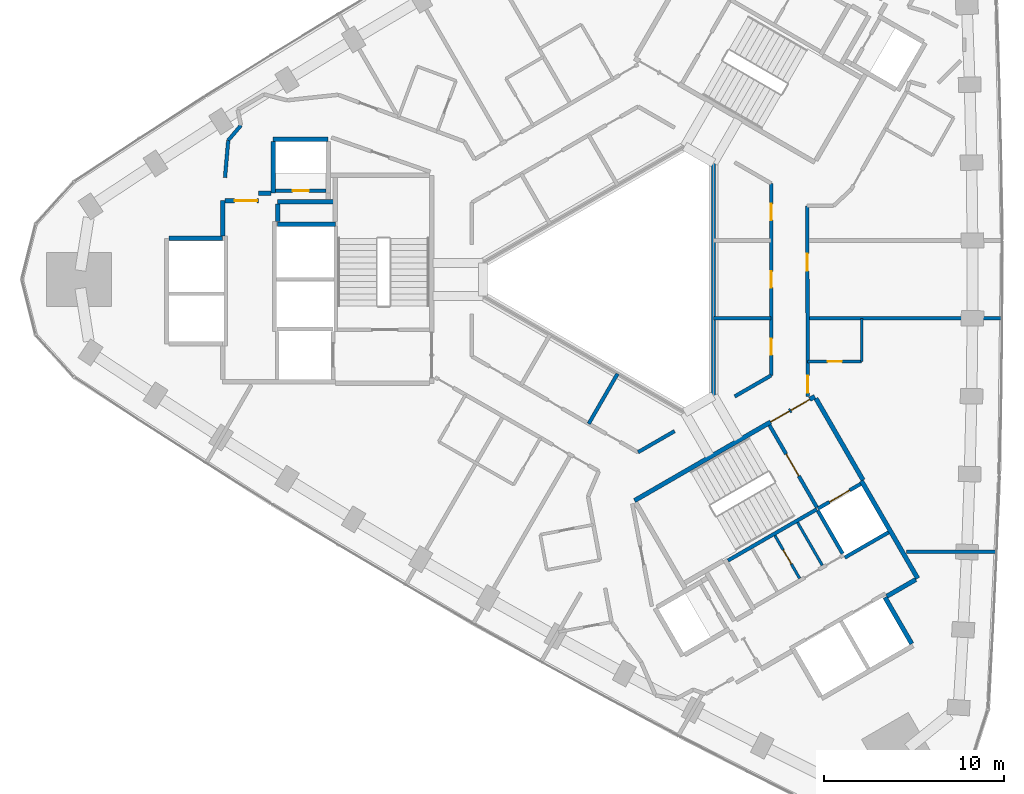
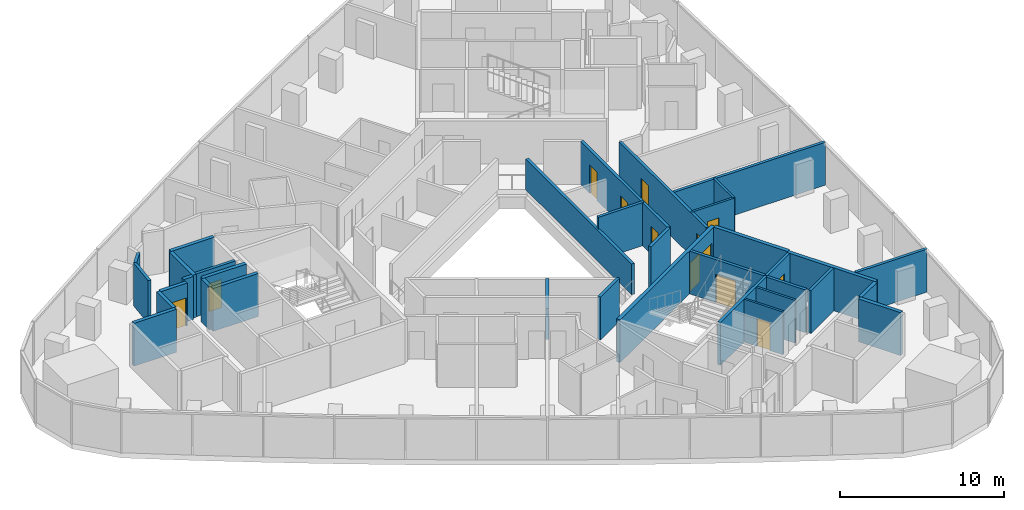
# One storey, part 9 of 13: 35 walls, 13 doors, 13 openings.
"""IFC4 building model written with IfcOpenShell, lengths in metres."""

from ifc_helpers import new_model, si_unit, direction, frame, frame_2d, origin, place, context, subcontext, project, spatial, rectangle, extrude, material, layer, layer_set, type_object, element, fill, save


model = new_model("IFC4")

# Units and contexts
model_context = context("Model", 3, precision=1e-05, world=origin(), true_north=direction((0.0, 1.0)))
body_context = subcontext(model_context, "Body", "Model", "MODEL_VIEW")
ifc_project = project(units=[si_unit("LENGTHUNIT", "METRE"), si_unit("AREAUNIT", "SQUARE_METRE"), si_unit("VOLUMEUNIT", "CUBIC_METRE"), si_unit("PLANEANGLEUNIT", "RADIAN"), si_unit("MASSUNIT", "GRAM", prefix="KILO")], contexts=[model_context])

# Site, building, storey
site_placement = place(None, origin())
site = spatial("IfcSite", under=ifc_project, at=site_placement, CompositionType="ELEMENT")
building_placement = place(site_placement, origin())
building = spatial("IfcBuilding", under=site, at=building_placement, Name="Tamra Quay Hotel Tower", CompositionType="ELEMENT")
storey_placement = place(building_placement, frame((0.0, 0.0, 161.199951171875)))
storey = spatial("IfcBuildingStorey", under=building, at=storey_placement, Name="L40", CompositionType="ELEMENT", Elevation=161.199951171875)

# Wall, opening, door
ifc_material_1 = material(Name="Concrete M70", Category="concrete")
ifc_layer_1 = layer(ifc_material_1, 0.199951171875)
ifc_layer_set_1 = layer_set([ifc_layer_1], Name="Concrete M70 core wall 200")
wall_type_1 = type_object("IfcWallType", Name="Concrete M70 core wall 200", PredefinedType="SHEAR", material=ifc_layer_set_1)
wall_1_placement = place(storey_placement, frame((-19.51123046875, 4.91015625, 0.0), z_axis=(0.0, 0.0, 1.0), x_axis=(1.0, 0.0, 0.0)))
wall_1 = element("IfcWall", 1, at=wall_1_placement, inside=storey, type_object=wall_type_1, Name="CW2", PredefinedType="SHEAR", context=body_context, shape_type="SweptSolid", body=[
    extrude(rectangle(XDim=2.7978515625, YDim=0.199951171875, at=frame_2d((1.39892578125, 0.0))), origin(), (0.0, 0.0, 1.0), 3.199951171875),
])
opening_1_placement = place(wall_1_placement, frame((0.948974609375, 0.0, 0.0)))
opening_1 = element("IfcOpeningElement", 2, at=opening_1_placement, cuts=wall_1, Name="Opening D1", PredefinedType="OPENING", context=body_context, shape_type="SweptSolid", body=[
    extrude(rectangle(XDim=0.89990234375, YDim=2.10009765625, at=frame_2d((0.449951171875, 1.050048828125))), frame((0.0, 0.10986328125, 0.0), z_axis=(0.0, -1.0, 0.0), x_axis=(1.0, 0.0, 0.0)), (0.0, 0.0, 1.0), 0.219970703125),
])
ifc_material_2 = material(Name="Core door D1 900x2100 RH")
door_type_1 = type_object("IfcDoorType", Name="Core door D1 900x2100 RH", OperationType="NOTDEFINED", PredefinedType="DOOR", material=ifc_material_2)
door_1_placement = place(opening_1_placement, origin())
door_1 = element("IfcDoor", 3, at=door_1_placement, inside=storey, type_object=door_type_1, Name="D1", OperationType="SINGLE_SWING_RIGHT", OverallHeight=2.10009765625, OverallWidth=0.89990234375, PredefinedType="DOOR", context=body_context, shape_type="SweptSolid", body=[
    extrude(rectangle(XDim=0.89990234375, YDim=2.10009765625, at=frame_2d((0.449951171875, 1.050048828125))), frame((0.0, 0.02490234375, 0.0), z_axis=(0.0, -1.0, 0.0), x_axis=(1.0, 0.0, 0.0)), (0.0, 0.0, 1.0), 0.050048828125),
])
fill(opening_1, door_1)

# Wall
wall_2_placement = place(storey_placement, frame((10.537841796875, -12.751953125, 0.0), z_axis=(0.0, 0.0, 1.0), x_axis=(-0.866038630372, -0.499977090179, 0.0)))
element("IfcWall", 4, at=wall_2_placement, inside=storey, type_object=wall_type_1, Name="CW2", PredefinedType="SHEAR", context=body_context, shape_type="SweptSolid", body=[
    extrude(rectangle(XDim=5.698974609375, YDim=0.199951171875, at=frame_2d((2.849609375, 0.0))), origin(), (0.0, 0.0, 1.0), 3.199951171875),
])

# Wall, opening, door
wall_3_placement = place(storey_placement, frame((7.906494140625, -8.094482421875, 0.0), z_axis=(0.0, 0.0, 1.0), x_axis=(0.500024287448, -0.866011380966, 0.0)))
wall_3 = element("IfcWall", 5, at=wall_3_placement, inside=storey, type_object=wall_type_1, Name="CW2", PredefinedType="SHEAR", context=body_context, shape_type="SweptSolid", body=[
    extrude(rectangle(XDim=5.251220703125, YDim=0.199951171875, at=frame_2d((2.62548828125, 0.0))), origin(), (0.0, 0.0, 1.0), 3.199951171875),
])
opening_2_placement = place(wall_3_placement, frame((1.84912109375, 0.0, 0.0)))
opening_2 = element("IfcOpeningElement", 6, at=opening_2_placement, cuts=wall_3, Name="Opening FD2", PredefinedType="OPENING", context=body_context, shape_type="SweptSolid", body=[
    extrude(rectangle(XDim=1.39990234375, YDim=2.10009765625, at=frame_2d((0.699951171875, 1.050048828125))), frame((0.0, 0.10986328125, 0.0), z_axis=(0.0, -1.0, 0.0), x_axis=(1.0, 0.0, 0.0)), (0.0, 0.0, 1.0), 0.219970703125),
])
ifc_material_3 = material(Name="Core door FD2 1400x2100 RH")
door_type_2 = type_object("IfcDoorType", Name="Core door FD2 1400x2100 RH", OperationType="NOTDEFINED", PredefinedType="DOOR", material=ifc_material_3)
door_2_placement = place(opening_2_placement, origin())
door_2 = element("IfcDoor", 7, at=door_2_placement, inside=storey, type_object=door_type_2, Name="FD2", OperationType="SINGLE_SWING_RIGHT", OverallHeight=2.10009765625, OverallWidth=1.39990234375, PredefinedType="DOOR", context=body_context, shape_type="SweptSolid", body=[
    extrude(rectangle(XDim=1.39990234375, YDim=2.10009765625, at=frame_2d((0.699951171875, 1.050048828125))), frame((0.0, 0.02490234375, 0.0), z_axis=(0.0, -1.0, 0.0), x_axis=(1.0, 0.0, 0.0)), (0.0, 0.0, 1.0), 0.050048828125),
])
fill(opening_2, door_2)

# Wall
wall_4_placement = place(storey_placement, frame((11.962646484375, -15.219970703125, 0.0), z_axis=(0.0, 0.0, 1.0), x_axis=(-0.500034990121, 0.866005201286, 0.0)))
element("IfcWall", 8, at=wall_4_placement, inside=storey, type_object=wall_type_1, Name="CW2", PredefinedType="SHEAR", context=body_context, shape_type="SweptSolid", body=[
    extrude(rectangle(XDim=2.749755859375, YDim=0.199951171875, at=frame_2d((1.375, 0.0))), origin(), (0.0, 0.0, 1.0), 3.199951171875),
])

# Wall, opening, door
wall_5_placement = place(storey_placement, frame((10.587158203125, -12.72314453125, 0.0), z_axis=(0.0, 0.0, 1.0), x_axis=(0.866037306777, 0.499979382845, 0.0)))
wall_5 = element("IfcWall", 9, at=wall_5_placement, inside=storey, type_object=wall_type_1, Name="CW2", PredefinedType="SHEAR", context=body_context, shape_type="SweptSolid", body=[
    extrude(rectangle(XDim=2.74169921875, YDim=0.199951171875, at=frame_2d((1.370849609375, 0.0))), origin(), (0.0, 0.0, 1.0), 3.199951171875),
])
opening_3_placement = place(wall_5_placement, frame((0.742919921875, 0.0, 0.0)))
opening_3 = element("IfcOpeningElement", 10, at=opening_3_placement, cuts=wall_5, Name="Opening LD", PredefinedType="OPENING", context=body_context, shape_type="SweptSolid", body=[
    extrude(rectangle(XDim=1.300048828125, YDim=2.10009765625, at=frame_2d((0.64990234375, 1.050048828125))), frame((0.0, 0.10986328125, 0.0), z_axis=(0.0, -1.0, 0.0), x_axis=(1.0, 0.0, 0.0)), (0.0, 0.0, 1.0), 0.219970703125),
])
ifc_material_4 = material(Name="Landing door LD 1300 sliding to right")
door_type_3 = type_object("IfcDoorType", Name="Landing door LD 1300 sliding to right", OperationType="NOTDEFINED", PredefinedType="DOOR", material=ifc_material_4)
door_3_placement = place(opening_3_placement, origin())
door_3 = element("IfcDoor", 11, at=door_3_placement, inside=storey, type_object=door_type_3, Name="LD", OperationType="SLIDING_TO_RIGHT", OverallHeight=2.10009765625, OverallWidth=1.300048828125, PredefinedType="DOOR", context=body_context, shape_type="SweptSolid", body=[
    extrude(rectangle(XDim=1.300048828125, YDim=2.10009765625, at=frame_2d((0.64990234375, 1.050048828125))), frame((0.0, 0.02490234375, 0.0), z_axis=(0.0, -1.0, 0.0), x_axis=(1.0, 0.0, 0.0)), (0.0, 0.0, 1.0), 0.050048828125),
])
fill(opening_3, door_3)

# Walls
wall_6_placement = place(storey_placement, frame((14.51171875, -14.037109375, 0.0), z_axis=(0.0, 0.0, 1.0), x_axis=(-0.866044696403, -0.499966582715, 0.0)))
element("IfcWall", 12, at=wall_6_placement, inside=storey, type_object=wall_type_1, Name="CW2", PredefinedType="SHEAR", context=body_context, shape_type="SweptSolid", body=[
    extrude(rectangle(XDim=2.799072265625, YDim=0.199951171875, at=frame_2d((1.3994140625, 0.0))), origin(), (0.0, 0.0, 1.0), 3.199951171875),
])
ifc_layer_2 = layer(ifc_material_1, 0.25)
ifc_layer_set_2 = layer_set([ifc_layer_2], Name="Concrete M70 core wall 250")
wall_type_2 = type_object("IfcWallType", Name="Concrete M70 core wall 250", PredefinedType="SHEAR", material=ifc_layer_set_2)
wall_7_placement = place(storey_placement, frame((-19.38720703125, 3.074951171875, 0.0), z_axis=(0.0, 0.0, 1.0), x_axis=(1.0, 0.0, 0.0)))
element("IfcWall", 13, at=wall_7_placement, inside=storey, type_object=wall_type_2, Name="CW1", PredefinedType="SHEAR", context=body_context, shape_type="SweptSolid", body=[
    extrude(rectangle(XDim=3.199951171875, YDim=0.25, at=frame_2d((1.60009765625, 0.0))), origin(), (0.0, 0.0, 1.0), 3.199951171875),
])
wall_8_placement = place(storey_placement, frame((-25.411865234375, 2.27490234375, 0.0), z_axis=(0.0, 0.0, 1.0), x_axis=(1.0, 0.0, 0.0)))
element("IfcWall", 14, at=wall_8_placement, inside=storey, type_object=wall_type_2, Name="CW1", PredefinedType="SHEAR", context=body_context, shape_type="SweptSolid", body=[
    extrude(rectangle(XDim=2.974609375, YDim=0.25, at=frame_2d((1.4873046875, 0.0))), origin(), (0.0, 0.0, 1.0), 3.199951171875),
])
wall_9_placement = place(storey_placement, frame((-19.63720703125, 7.77490234375, 0.0), z_axis=(0.0, 0.0, 1.0), x_axis=(1.0, 0.0, 0.0)))
element("IfcWall", 15, at=wall_9_placement, inside=storey, type_object=wall_type_2, Name="CW1", PredefinedType="SHEAR", context=body_context, shape_type="SweptSolid", body=[
    extrude(rectangle(XDim=3.0498046875, YDim=0.25, at=frame_2d((1.52490234375, 0.0))), origin(), (0.0, 0.0, 1.0), 3.199951171875),
])
wall_10_placement = place(storey_placement, frame((-19.63720703125, 4.784912109375, 0.0), z_axis=(0.0, 0.0, 1.0), x_axis=(0.0, 1.0, 0.0)))
element("IfcWall", 16, at=wall_10_placement, inside=storey, type_object=wall_type_2, Name="CW1", PredefinedType="SHEAR", context=body_context, shape_type="SweptSolid", body=[
    extrude(rectangle(XDim=2.86474609375, YDim=0.25, at=frame_2d((1.432373046875, 0.0))), origin(), (0.0, 0.0, 1.0), 3.199951171875),
])
wall_11_placement = place(storey_placement, frame((-16.30224609375, 4.31494140625, 0.0), z_axis=(0.0, 0.0, 1.0), x_axis=(-1.0, 0.0, 0.0)))
element("IfcWall", 17, at=wall_11_placement, inside=storey, type_object=wall_type_2, Name="CW1", PredefinedType="SHEAR", context=body_context, shape_type="SweptSolid", body=[
    extrude(rectangle(XDim=3.0849609375, YDim=0.25, at=frame_2d((1.54248046875, 0.0))), origin(), (0.0, 0.0, 1.0), 3.199951171875),
])
wall_12_placement = place(storey_placement, frame((-22.437255859375, 2.400390625, 0.0), z_axis=(0.0, 0.0, 1.0), x_axis=(0.0, 1.0, 0.0)))
element("IfcWall", 18, at=wall_12_placement, inside=storey, type_object=wall_type_2, Name="CW1", PredefinedType="SHEAR", context=body_context, shape_type="SweptSolid", body=[
    extrude(rectangle(XDim=1.974609375, YDim=0.25, at=frame_2d((0.9873046875, 0.0))), origin(), (0.0, 0.0, 1.0), 3.199951171875),
])

# Wall, opening, door
wall_13_placement = place(storey_placement, frame((-22.311767578125, 4.375, 0.0), z_axis=(0.0, 0.0, 1.0), x_axis=(1.0, 0.0, 0.0)))
wall_13 = element("IfcWall", 19, at=wall_13_placement, inside=storey, type_object=wall_type_2, Name="CW1", PredefinedType="SHEAR", context=body_context, shape_type="SweptSolid", body=[
    extrude(rectangle(XDim=1.864501953125, YDim=0.25, at=frame_2d((0.93212890625, 0.0))), origin(), (0.0, 0.0, 1.0), 3.199951171875),
])
opening_4_placement = place(wall_13_placement, frame((0.53466796875, 0.0, 0.0)))
opening_4 = element("IfcOpeningElement", 20, at=opening_4_placement, cuts=wall_13, Name="Opening FD3", PredefinedType="OPENING", context=body_context, shape_type="SweptSolid", body=[
    extrude(rectangle(XDim=1.25, YDim=2.10009765625, at=frame_2d((0.625, 1.050048828125))), frame((0.0, 0.135009765625, 0.0), z_axis=(0.0, -1.0, 0.0), x_axis=(1.0, 0.0, 0.0)), (0.0, 0.0, 1.0), 0.27001953125),
])
ifc_material_5 = material(Name="Core door FD3 1250x2100 LH")
door_type_4 = type_object("IfcDoorType", Name="Core door FD3 1250x2100 LH", OperationType="NOTDEFINED", PredefinedType="DOOR", material=ifc_material_5)
door_4_placement = place(opening_4_placement, origin())
door_4 = element("IfcDoor", 21, at=door_4_placement, inside=storey, type_object=door_type_4, Name="FD3", OperationType="SINGLE_SWING_LEFT", OverallHeight=2.10009765625, OverallWidth=1.25, PredefinedType="DOOR", context=body_context, shape_type="SweptSolid", body=[
    extrude(rectangle(XDim=1.25, YDim=2.10009765625, at=frame_2d((0.625, 1.050048828125))), frame((0.0, 0.02490234375, 0.0), z_axis=(0.0, -1.0, 0.0), x_axis=(1.0, 0.0, 0.0)), (0.0, 0.0, 1.0), 0.050048828125),
])
fill(opening_4, door_4)

# Walls
wall_14_placement = place(storey_placement, frame((-19.38720703125, 4.189697265625, 0.0), z_axis=(0.0, 0.0, 1.0), x_axis=(0.0, -1.0, 0.0)))
element("IfcWall", 22, at=wall_14_placement, inside=storey, type_object=wall_type_2, Name="CW1", PredefinedType="SHEAR", context=body_context, shape_type="SweptSolid", body=[
    extrude(rectangle(XDim=0.9892578125, YDim=0.25, at=frame_2d((0.49462890625, 0.0))), origin(), (0.0, 0.0, 1.0), 3.199951171875),
])
wall_15_placement = place(storey_placement, frame((-20.447265625, 4.784912109375, 0.0), z_axis=(0.0, 0.0, 1.0), x_axis=(1.0, 0.0, 0.0)))
element("IfcWall", 23, at=wall_15_placement, inside=storey, type_object=wall_type_2, Name="CW1", PredefinedType="SHEAR", context=body_context, shape_type="SweptSolid", body=[
    extrude(rectangle(XDim=0.6845703125, YDim=0.25, at=frame_2d((0.34228515625, 0.0))), origin(), (0.0, 0.0, 1.0), 3.199951171875),
])

# Wall, openings, doors
wall_16_placement = place(storey_placement, frame((0.417236328125, -12.27294921875, 0.0), z_axis=(0.0, 0.0, 1.0), x_axis=(0.866021906294, 0.500006057782, 0.0)))
wall_16 = element("IfcWall", 24, at=wall_16_placement, inside=storey, type_object=wall_type_2, Name="CW1", PredefinedType="SHEAR", context=body_context, shape_type="SweptSolid", body=[
    extrude(rectangle(XDim=11.550048828125, YDim=0.25, at=frame_2d((5.77490234375, 0.0))), origin(), (0.0, 0.0, 1.0), 3.199951171875),
])
opening_5_placement = place(wall_16_placement, frame((10.024658203125, 0.0, 0.0)))
opening_5 = element("IfcOpeningElement", 25, at=opening_5_placement, cuts=wall_16, Name="Opening FD1", PredefinedType="OPENING", context=body_context, shape_type="SweptSolid", body=[
    extrude(rectangle(XDim=1.199951171875, YDim=2.10009765625, at=frame_2d((0.60009765625, 1.050048828125))), frame((0.0, 0.135009765625, 0.0), z_axis=(0.0, -1.0, 0.0), x_axis=(1.0, 0.0, 0.0)), (0.0, 0.0, 1.0), 0.27001953125),
])
opening_6_placement = place(wall_16_placement, frame((8.724609375, 0.0, 0.0)))
opening_6 = element("IfcOpeningElement", 26, at=opening_6_placement, cuts=wall_16, Name="Opening FD1", PredefinedType="OPENING", context=body_context, shape_type="SweptSolid", body=[
    extrude(rectangle(XDim=1.199951171875, YDim=2.10009765625, at=frame_2d((0.60009765625, 1.050048828125))), frame((0.0, 0.135009765625, 0.0), z_axis=(0.0, -1.0, 0.0), x_axis=(1.0, 0.0, 0.0)), (0.0, 0.0, 1.0), 0.27001953125),
])
ifc_material_6 = material(Name="Core door FD1 1200x2100 LH")
door_type_5 = type_object("IfcDoorType", Name="Core door FD1 1200x2100 LH", OperationType="NOTDEFINED", PredefinedType="DOOR", material=ifc_material_6)
door_5_placement = place(opening_5_placement, origin())
door_5 = element("IfcDoor", 27, at=door_5_placement, inside=storey, type_object=door_type_5, Name="FD1", OperationType="SINGLE_SWING_LEFT", OverallHeight=2.10009765625, OverallWidth=1.199951171875, PredefinedType="DOOR", context=body_context, shape_type="SweptSolid", body=[
    extrude(rectangle(XDim=1.199951171875, YDim=2.10009765625, at=frame_2d((0.60009765625, 1.050048828125))), frame((0.0, 0.02490234375, 0.0), z_axis=(0.0, -1.0, 0.0), x_axis=(1.0, 0.0, 0.0)), (0.0, 0.0, 1.0), 0.050048828125),
])
fill(opening_5, door_5)
ifc_material_7 = material(Name="Core door FD1 1200x2100 RH")
door_type_6 = type_object("IfcDoorType", Name="Core door FD1 1200x2100 RH", OperationType="NOTDEFINED", PredefinedType="DOOR", material=ifc_material_7)
door_6_placement = place(opening_6_placement, origin())
door_6 = element("IfcDoor", 28, at=door_6_placement, inside=storey, type_object=door_type_6, Name="FD1", OperationType="SINGLE_SWING_RIGHT", OverallHeight=2.10009765625, OverallWidth=1.199951171875, PredefinedType="DOOR", context=body_context, shape_type="SweptSolid", body=[
    extrude(rectangle(XDim=1.199951171875, YDim=2.10009765625, at=frame_2d((0.60009765625, 1.050048828125))), frame((0.0, 0.02490234375, 0.0), z_axis=(0.0, -1.0, 0.0), x_axis=(1.0, 0.0, 0.0)), (0.0, 0.0, 1.0), 0.050048828125),
])
fill(opening_6, door_6)

# Walls
wall_17_placement = place(storey_placement, frame((13.00830078125, -11.18115234375, 0.0), z_axis=(0.0, 0.0, 1.0), x_axis=(0.500004234368, -0.866022959057, 0.0)))
element("IfcWall", 29, at=wall_17_placement, inside=storey, type_object=wall_type_2, Name="CW1", PredefinedType="SHEAR", context=body_context, shape_type="SweptSolid", body=[
    extrude(rectangle(XDim=6.25, YDim=0.25, at=frame_2d((3.125, 0.0))), origin(), (0.0, 0.0, 1.0), 3.199951171875),
])
wall_18_placement = place(storey_placement, frame((10.482666015625, -6.6064453125, 0.0), z_axis=(0.0, 0.0, 1.0), x_axis=(0.49999885962, -0.866026062182, 0.0)))
element("IfcWall", 30, at=wall_18_placement, inside=storey, type_object=wall_type_2, Name="CW1", PredefinedType="SHEAR", context=body_context, shape_type="SweptSolid", body=[
    extrude(rectangle(XDim=5.224609375, YDim=0.25, at=frame_2d((2.6123046875, 0.0))), origin(), (0.0, 0.0, 1.0), 3.199951171875),
])
wall_19_placement = place(storey_placement, frame((14.314697265625, -17.643798828125, 0.0), z_axis=(0.0, 0.0, 1.0), x_axis=(0.500023226632, -0.866011993467, 0.0)))
element("IfcWall", 31, at=wall_19_placement, inside=storey, type_object=wall_type_2, Name="CW1", PredefinedType="SHEAR", context=body_context, shape_type="SweptSolid", body=[
    extrude(rectangle(XDim=2.974365234375, YDim=0.25, at=frame_2d((1.4873046875, 0.0))), origin(), (0.0, 0.0, 1.0), 3.199951171875),
])
wall_20_placement = place(storey_placement, frame((16.024658203125, -16.656494140625, 0.0), z_axis=(0.0, 0.0, 1.0), x_axis=(-0.866016279763, -0.500015802937, 0.0)))
element("IfcWall", 32, at=wall_20_placement, inside=storey, type_object=wall_type_2, Name="CW1", PredefinedType="SHEAR", context=body_context, shape_type="SweptSolid", body=[
    extrude(rectangle(XDim=1.84912109375, YDim=0.25, at=frame_2d((0.924560546875, 0.0))), origin(), (0.0, 0.0, 1.0), 3.199951171875),
])

# Wall, opening, door
ifc_material_8 = material(Name="Blockwork", Category="masonry")
ifc_layer_3 = layer(ifc_material_8, 0.14990234375)
ifc_layer_set_3 = layer_set([ifc_layer_3], Name="Core partition block 150")
wall_type_3 = type_object("IfcWallType", Name="Core partition block 150", PredefinedType="PARTITIONING", material=ifc_layer_set_3)
wall_21_placement = place(storey_placement, frame((8.20654296875, -14.214111328125, 0.0), z_axis=(0.0, 0.0, 1.0), x_axis=(0.50002746344, -0.86600954718, 0.0)))
wall_21 = element("IfcWall", 33, at=wall_21_placement, inside=storey, type_object=wall_type_3, Name="CP1", PredefinedType="PARTITIONING", context=body_context, shape_type="SweptSolid", body=[
    extrude(rectangle(XDim=2.748291015625, YDim=0.14990234375, at=frame_2d((1.3740234375, 0.0))), origin(), (0.0, 0.0, 1.0), 3.199951171875),
])
opening_7_placement = place(wall_21_placement, frame((0.92431640625, 0.0, 0.0)))
opening_7 = element("IfcOpeningElement", 34, at=opening_7_placement, cuts=wall_21, Name="Opening D2", PredefinedType="OPENING", context=body_context, shape_type="SweptSolid", body=[
    extrude(rectangle(XDim=0.89990234375, YDim=2.10009765625, at=frame_2d((0.449951171875, 1.050048828125))), frame((0.0, 0.0849609375, 0.0), z_axis=(0.0, -1.0, 0.0), x_axis=(1.0, 0.0, 0.0)), (0.0, 0.0, 1.0), 0.169921875),
])
ifc_material_9 = material(Name="Core door D2 900x2100 RH")
door_type_7 = type_object("IfcDoorType", Name="Core door D2 900x2100 RH", OperationType="NOTDEFINED", PredefinedType="DOOR", material=ifc_material_9)
door_7_placement = place(opening_7_placement, origin())
door_7 = element("IfcDoor", 35, at=door_7_placement, inside=storey, type_object=door_type_7, Name="D2", OperationType="SINGLE_SWING_RIGHT", OverallHeight=2.10009765625, OverallWidth=0.89990234375, PredefinedType="DOOR", context=body_context, shape_type="SweptSolid", body=[
    extrude(rectangle(XDim=0.89990234375, YDim=2.10009765625, at=frame_2d((0.449951171875, 1.050048828125))), frame((0.0, 0.02490234375, 0.0), z_axis=(0.0, -1.0, 0.0), x_axis=(1.0, 0.0, 0.0)), (0.0, 0.0, 1.0), 0.050048828125),
])
fill(opening_7, door_7)

# Walls
wall_22_placement = place(storey_placement, frame((9.46240234375, -13.489013671875, 0.0), z_axis=(0.0, 0.0, 1.0), x_axis=(0.499988999718, -0.866031754707, 0.0)))
element("IfcWall", 36, at=wall_22_placement, inside=storey, type_object=wall_type_3, Name="CP1", PredefinedType="PARTITIONING", context=body_context, shape_type="SweptSolid", body=[
    extrude(rectangle(XDim=2.74853515625, YDim=0.14990234375, at=frame_2d((1.374267578125, 0.0))), origin(), (0.0, 0.0, 1.0), 3.199951171875),
])
ifc_material_10 = material(Name="Partition corridor wall")
ifc_layer_4 = layer(ifc_material_10, 0.199951171875)
ifc_layer_set_4 = layer_set([ifc_layer_4], Name="Partition corridor wall")
wall_type_4 = type_object("IfcWallType", Name="Partition corridor wall", PredefinedType="PARTITIONING", material=ifc_layer_set_4)
wall_23_placement = place(storey_placement, frame((-22.131103515625, 7.719970703125, 0.0), z_axis=(0.0, 0.0, 1.0), x_axis=(-0.086827346826, -0.996223374471, 0.0)))
element("IfcWall", 37, at=wall_23_placement, inside=storey, type_object=wall_type_4, Name="W-C", PredefinedType="PARTITIONING", context=body_context, shape_type="SweptSolid", body=[
    extrude(rectangle(XDim=2.077880859375, YDim=0.199951171875, at=frame_2d((1.0390625, 0.0))), origin(), (0.0, 0.0, 1.0), 3.199951171875),
])
wall_24_placement = place(storey_placement, frame((-22.131103515625, 7.719970703125, 0.0), z_axis=(0.0, 0.0, 1.0), x_axis=(0.647024749006, 0.762468998828, 0.0)))
element("IfcWall", 38, at=wall_24_placement, inside=storey, type_object=wall_type_4, Name="W-C", PredefinedType="PARTITIONING", context=body_context, shape_type="SweptSolid", body=[
    extrude(rectangle(XDim=1.09130859375, YDim=0.199951171875, at=frame_2d((0.545654296875, 0.0))), origin(), (0.0, 0.0, 1.0), 3.199951171875),
])
wall_25_placement = place(storey_placement, frame((0.611083984375, -9.58935546875, 0.0), z_axis=(0.0, 0.0, 1.0), x_axis=(0.866220316572, 0.499662249082, 0.0)))
element("IfcWall", 39, at=wall_25_placement, inside=storey, type_object=wall_type_4, Name="W-C", PredefinedType="PARTITIONING", context=body_context, shape_type="SweptSolid", body=[
    extrude(rectangle(XDim=2.34033203125, YDim=0.199951171875, at=frame_2d((1.170166015625, 0.0))), origin(), (0.0, 0.0, 1.0), 3.199951171875),
])
wall_26_placement = place(storey_placement, frame((5.972900390625, -6.49609375, 0.0), z_axis=(0.0, 0.0, 1.0), x_axis=(0.866175166619, 0.4997405134, 0.0)))
element("IfcWall", 40, at=wall_26_placement, inside=storey, type_object=wall_type_4, Name="W-C", PredefinedType="PARTITIONING", context=body_context, shape_type="SweptSolid", body=[
    extrude(rectangle(XDim=2.340576171875, YDim=0.199951171875, at=frame_2d((1.17041015625, 0.0))), origin(), (0.0, 0.0, 1.0), 3.199951171875),
])

# Wall, openings, doors
wall_27_placement = place(storey_placement, frame((8.0, -5.325927734375, 0.0), z_axis=(0.0, 0.0, 1.0), x_axis=(0.0, 1.0, 0.0)))
wall_27 = element("IfcWall", 41, at=wall_27_placement, inside=storey, type_object=wall_type_4, Name="W-C", PredefinedType="PARTITIONING", context=body_context, shape_type="SweptSolid", body=[
    extrude(rectangle(XDim=10.65185546875, YDim=0.199951171875, at=frame_2d((5.325927734375, 0.0))), origin(), (0.0, 0.0, 1.0), 3.199951171875),
])
opening_8_placement = place(wall_27_placement, frame((1.138427734375, 0.0, 0.0)))
opening_8 = element("IfcOpeningElement", 42, at=opening_8_placement, cuts=wall_27, Name="Opening L40-D024", PredefinedType="OPENING", context=body_context, shape_type="SweptSolid", body=[
    extrude(rectangle(XDim=0.89990234375, YDim=2.10009765625, at=frame_2d((0.449951171875, 1.050048828125))), frame((0.0, 0.10986328125, 0.0), z_axis=(0.0, -1.0, 0.0), x_axis=(1.0, 0.0, 0.0)), (0.0, 0.0, 1.0), 0.219970703125),
])
opening_9_placement = place(wall_27_placement, frame((4.8759765625, 0.0, 0.0)))
opening_9 = element("IfcOpeningElement", 43, at=opening_9_placement, cuts=wall_27, Name="Opening L40-D025", PredefinedType="OPENING", context=body_context, shape_type="SweptSolid", body=[
    extrude(rectangle(XDim=0.89990234375, YDim=2.10009765625, at=frame_2d((0.449951171875, 1.050048828125))), frame((0.0, 0.10986328125, 0.0), z_axis=(0.0, -1.0, 0.0), x_axis=(1.0, 0.0, 0.0)), (0.0, 0.0, 1.0), 0.219970703125),
])
opening_10_placement = place(wall_27_placement, frame((8.613525390625, 0.0, 0.0)))
opening_10 = element("IfcOpeningElement", 44, at=opening_10_placement, cuts=wall_27, Name="Opening L40-D026", PredefinedType="OPENING", context=body_context, shape_type="SweptSolid", body=[
    extrude(rectangle(XDim=0.89990234375, YDim=2.10009765625, at=frame_2d((0.449951171875, 1.050048828125))), frame((0.0, 0.10986328125, 0.0), z_axis=(0.0, -1.0, 0.0), x_axis=(1.0, 0.0, 0.0)), (0.0, 0.0, 1.0), 0.219970703125),
])
ifc_material_11 = material(Name="Door service room 900x2100")
door_type_8 = type_object("IfcDoorType", Name="Door service room 900x2100", OperationType="NOTDEFINED", PredefinedType="DOOR", material=ifc_material_11)
door_8_placement = place(opening_8_placement, origin())
door_8 = element("IfcDoor", 45, at=door_8_placement, inside=storey, type_object=door_type_8, Name="L40-D024", OperationType="SINGLE_SWING_LEFT", OverallHeight=2.10009765625, OverallWidth=0.89990234375, PredefinedType="DOOR", context=body_context, shape_type="SweptSolid", body=[
    extrude(rectangle(XDim=0.89990234375, YDim=2.10009765625, at=frame_2d((0.449951171875, 1.050048828125))), frame((0.0, 0.02490234375, 0.0), z_axis=(0.0, -1.0, 0.0), x_axis=(1.0, 0.0, 0.0)), (0.0, 0.0, 1.0), 0.050048828125),
])
fill(opening_8, door_8)
door_9_placement = place(opening_9_placement, origin())
door_9 = element("IfcDoor", 46, at=door_9_placement, inside=storey, type_object=door_type_8, Name="L40-D025", OperationType="SINGLE_SWING_LEFT", OverallHeight=2.10009765625, OverallWidth=0.89990234375, PredefinedType="DOOR", context=body_context, shape_type="SweptSolid", body=[
    extrude(rectangle(XDim=0.89990234375, YDim=2.10009765625, at=frame_2d((0.449951171875, 1.050048828125))), frame((0.0, 0.02490234375, 0.0), z_axis=(0.0, -1.0, 0.0), x_axis=(1.0, 0.0, 0.0)), (0.0, 0.0, 1.0), 0.050048828125),
])
fill(opening_9, door_9)
door_10_placement = place(opening_10_placement, origin())
door_10 = element("IfcDoor", 47, at=door_10_placement, inside=storey, type_object=door_type_8, Name="L40-D026", OperationType="SINGLE_SWING_LEFT", OverallHeight=2.10009765625, OverallWidth=0.89990234375, PredefinedType="DOOR", context=body_context, shape_type="SweptSolid", body=[
    extrude(rectangle(XDim=0.89990234375, YDim=2.10009765625, at=frame_2d((0.449951171875, 1.050048828125))), frame((0.0, 0.02490234375, 0.0), z_axis=(0.0, -1.0, 0.0), x_axis=(1.0, 0.0, 0.0)), (0.0, 0.0, 1.0), 0.050048828125),
])
fill(opening_10, door_10)

wall_28_placement = place(storey_placement, frame((9.99951171875, 4.077880859375, 0.0), z_axis=(0.0, 0.0, 1.0), x_axis=(0.003070798941, -0.999995285086, 0.0)))
wall_28 = element("IfcWall", 48, at=wall_28_placement, inside=storey, type_object=wall_type_4, Name="W-C", PredefinedType="PARTITIONING", context=body_context, shape_type="SweptSolid", body=[
    extrude(rectangle(XDim=10.573974609375, YDim=0.199951171875, at=frame_2d((5.287109375, 0.0))), origin(), (0.0, 0.0, 1.0), 3.199951171875),
])
opening_11_placement = place(wall_28_placement, frame((9.424072265625, 0.0, 0.0)))
opening_11 = element("IfcOpeningElement", 49, at=opening_11_placement, cuts=wall_28, Name="Opening L40-D001", PredefinedType="OPENING", context=body_context, shape_type="SweptSolid", body=[
    extrude(rectangle(XDim=0.949951171875, YDim=2.10009765625, at=frame_2d((0.47509765625, 1.050048828125))), frame((0.0, 0.10986328125, 0.0), z_axis=(0.0, -1.0, 0.0), x_axis=(1.0, 0.0, 0.0)), (0.0, 0.0, 1.0), 0.219970703125),
])
opening_12_placement = place(wall_28_placement, frame((2.65087890625, 0.0, 0.0)))
opening_12 = element("IfcOpeningElement", 50, at=opening_12_placement, cuts=wall_28, Name="Opening L40-D003", PredefinedType="OPENING", context=body_context, shape_type="SweptSolid", body=[
    extrude(rectangle(XDim=0.949951171875, YDim=2.10009765625, at=frame_2d((0.47509765625, 1.050048828125))), frame((0.0, 0.10986328125, 0.0), z_axis=(0.0, -1.0, 0.0), x_axis=(1.0, 0.0, 0.0)), (0.0, 0.0, 1.0), 0.219970703125),
])
ifc_material_12 = material(Name="Door guest room 950x2100")
door_type_9 = type_object("IfcDoorType", Name="Door guest room 950x2100", OperationType="NOTDEFINED", PredefinedType="DOOR", material=ifc_material_12)
door_11_placement = place(opening_11_placement, origin())
door_11 = element("IfcDoor", 51, at=door_11_placement, inside=storey, type_object=door_type_9, Name="L40-D001", OperationType="SINGLE_SWING_LEFT", OverallHeight=2.10009765625, OverallWidth=0.949951171875, PredefinedType="DOOR", context=body_context, shape_type="SweptSolid", body=[
    extrude(rectangle(XDim=0.949951171875, YDim=2.10009765625, at=frame_2d((0.47509765625, 1.050048828125))), frame((0.0, 0.02490234375, 0.0), z_axis=(0.0, -1.0, 0.0), x_axis=(1.0, 0.0, 0.0)), (0.0, 0.0, 1.0), 0.050048828125),
])
fill(opening_11, door_11)
door_12_placement = place(opening_12_placement, origin())
door_12 = element("IfcDoor", 52, at=door_12_placement, inside=storey, type_object=door_type_9, Name="L40-D003", OperationType="SINGLE_SWING_LEFT", OverallHeight=2.10009765625, OverallWidth=0.949951171875, PredefinedType="DOOR", context=body_context, shape_type="SweptSolid", body=[
    extrude(rectangle(XDim=0.949951171875, YDim=2.10009765625, at=frame_2d((0.47509765625, 1.050048828125))), frame((0.0, 0.02490234375, 0.0), z_axis=(0.0, -1.0, 0.0), x_axis=(1.0, 0.0, 0.0)), (0.0, 0.0, 1.0), 0.050048828125),
])
fill(opening_12, door_12)

# Wall, opening, door
ifc_material_13 = material(Name="Partition en-suite wall")
ifc_layer_5 = layer(ifc_material_13, 0.14990234375)
ifc_layer_set_5 = layer_set([ifc_layer_5], Name="Partition en-suite wall")
wall_type_5 = type_object("IfcWallType", Name="Partition en-suite wall", PredefinedType="PARTITIONING", material=ifc_layer_set_5)
wall_29_placement = place(storey_placement, frame((10.027099609375, -4.56103515625, 0.0), z_axis=(0.0, 0.0, 1.0), x_axis=(0.999995457159, 0.003014242926, 0.0)))
wall_29 = element("IfcWall", 53, at=wall_29_placement, inside=storey, type_object=wall_type_5, Name="W-E", PredefinedType="PARTITIONING", context=body_context, shape_type="SweptSolid", body=[
    extrude(rectangle(XDim=2.996826171875, YDim=0.14990234375, at=frame_2d((1.49853515625, 0.0))), origin(), (0.0, 0.0, 1.0), 3.199951171875),
])
opening_13_placement = place(wall_29_placement, frame((1.09912109375, 0.0, 0.0)))
opening_13 = element("IfcOpeningElement", 54, at=opening_13_placement, cuts=wall_29, Name="Opening L40-D002", PredefinedType="OPENING", context=body_context, shape_type="SweptSolid", body=[
    extrude(rectangle(XDim=0.800048828125, YDim=2.10009765625, at=frame_2d((0.39990234375, 1.050048828125))), frame((0.0, 0.0849609375, 0.0), z_axis=(0.0, -1.0, 0.0), x_axis=(1.0, 0.0, 0.0)), (0.0, 0.0, 1.0), 0.169921875),
])
ifc_material_14 = material(Name="Door en-suite 800x2100")
door_type_10 = type_object("IfcDoorType", Name="Door en-suite 800x2100", OperationType="NOTDEFINED", PredefinedType="DOOR", material=ifc_material_14)
door_13_placement = place(opening_13_placement, frame((0.800048828125, 0.0, 0.0), z_axis=(0.0, 0.0, 1.0), x_axis=(-1.0, 0.0, 0.0)))
door_13 = element("IfcDoor", 55, at=door_13_placement, inside=storey, type_object=door_type_10, Name="L40-D002", OperationType="SINGLE_SWING_LEFT", OverallHeight=2.10009765625, OverallWidth=0.800048828125, PredefinedType="DOOR", context=body_context, shape_type="SweptSolid", body=[
    extrude(rectangle(XDim=0.800048828125, YDim=2.10009765625, at=frame_2d((0.39990234375, 1.050048828125))), frame((0.0, 0.02490234375, 0.0), z_axis=(0.0, -1.0, 0.0), x_axis=(1.0, 0.0, 0.0)), (0.0, 0.0, 1.0), 0.050048828125),
])
fill(opening_13, door_13)

# Walls
wall_30_placement = place(storey_placement, frame((13.01904296875, -2.160888671875, 0.0), z_axis=(0.0, 0.0, 1.0), x_axis=(0.002861218617, -0.999995906706, 0.0)))
element("IfcWall", 56, at=wall_30_placement, inside=storey, type_object=wall_type_5, Name="W-E", PredefinedType="PARTITIONING", context=body_context, shape_type="SweptSolid", body=[
    extrude(rectangle(XDim=2.38916015625, YDim=0.14990234375, at=frame_2d((1.194580078125, 0.0))), origin(), (0.0, 0.0, 1.0), 3.199951171875),
])
ifc_material_15 = material(Name="Partition party wall")
ifc_layer_6 = layer(ifc_material_15, 0.199951171875)
ifc_layer_set_6 = layer_set([ifc_layer_6], Name="Partition party wall")
wall_type_6 = type_object("IfcWallType", Name="Partition party wall", PredefinedType="PARTITIONING", material=ifc_layer_set_6)
wall_31_placement = place(storey_placement, frame((-2.128173828125, -8.009033203125, 0.0), z_axis=(0.0, 0.0, 1.0), x_axis=(0.499986558861, 0.866033163891, 0.0)))
element("IfcWall", 57, at=wall_31_placement, inside=storey, type_object=wall_type_6, Name="W-P", PredefinedType="PARTITIONING", context=body_context, shape_type="SweptSolid", body=[
    extrude(rectangle(XDim=3.20068359375, YDim=0.199951171875, at=frame_2d((1.600341796875, 0.0))), origin(), (0.0, 0.0, 1.0), 2.300048828125),
])
wall_32_placement = place(storey_placement, frame((4.800048828125, -6.466064453125, 0.0), z_axis=(0.0, 0.0, 1.0), x_axis=(0.0, 1.0, 0.0)))
element("IfcWall", 58, at=wall_32_placement, inside=storey, type_object=wall_type_6, Name="W-P", PredefinedType="PARTITIONING", context=body_context, shape_type="SweptSolid", body=[
    extrude(rectangle(XDim=12.93212890625, YDim=0.199951171875, at=frame_2d((6.466064453125, 0.0))), origin(), (0.0, 0.0, 1.0), 2.300048828125),
])
wall_33_placement = place(storey_placement, frame((4.800048828125, -2.160888671875, 0.0), z_axis=(0.0, 0.0, 1.0), x_axis=(1.0, 0.0, 0.0)))
element("IfcWall", 59, at=wall_33_placement, inside=storey, type_object=wall_type_6, Name="W-P", PredefinedType="PARTITIONING", context=body_context, shape_type="SweptSolid", body=[
    extrude(rectangle(XDim=3.199951171875, YDim=0.199951171875, at=frame_2d((1.60009765625, 0.0))), origin(), (0.0, 0.0, 1.0), 3.199951171875),
])
wall_34_placement = place(storey_placement, frame((10.01904296875, -2.160888671875, 0.0), z_axis=(0.0, 0.0, 1.0), x_axis=(1.0, 0.0, 0.0)))
element("IfcWall", 60, at=wall_34_placement, inside=storey, type_object=wall_type_6, Name="W-P", PredefinedType="PARTITIONING", context=body_context, shape_type="SweptSolid", body=[
    extrude(rectangle(XDim=10.795654296875, YDim=0.199951171875, at=frame_2d((5.39794921875, 0.0))), origin(), (0.0, 0.0, 1.0), 3.199951171875),
])
wall_35_placement = place(storey_placement, frame((15.498291015625, -15.1240234375, 0.0), z_axis=(0.0, 0.0, 1.0), x_axis=(1.0, 0.0, 0.0)))
element("IfcWall", 61, at=wall_35_placement, inside=storey, type_object=wall_type_6, Name="W-P", PredefinedType="PARTITIONING", context=body_context, shape_type="SweptSolid", body=[
    extrude(rectangle(XDim=5.007568359375, YDim=0.199951171875, at=frame_2d((2.50390625, 0.0))), origin(), (0.0, 0.0, 1.0), 3.199951171875),
])

save(model, "model.ifc")
